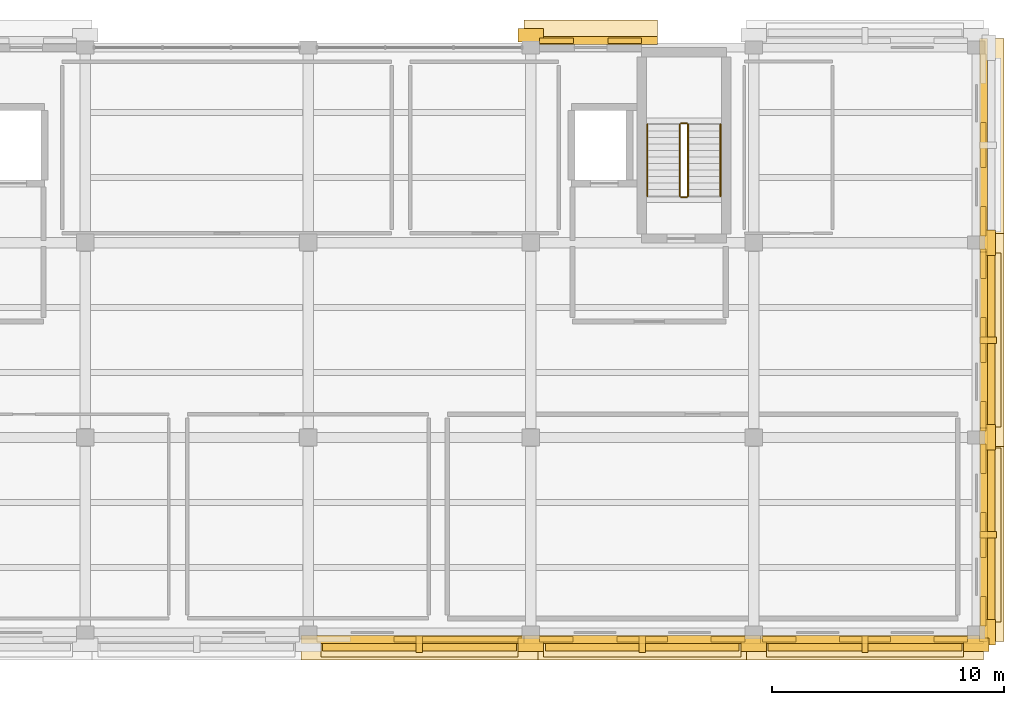
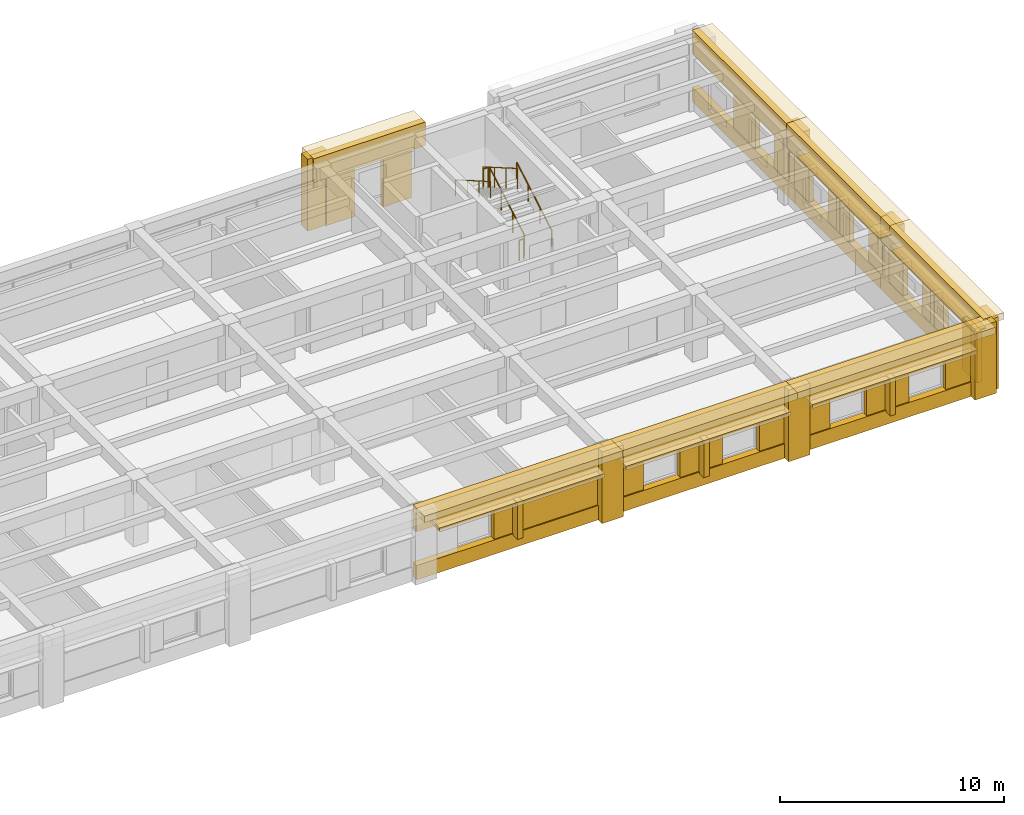
# One storey, part 11 of 12: 54 coverings, 6 railings, 5 shading devices.
"""IFC4 building model written with IfcOpenShell, lengths in metres."""

from ifc_helpers import new_model, si_unit, direction, frame, origin, origin_2d, place, context, subcontext, project, spatial, rectangle, circle, extrude, material, layer, layer_set, type_object, element, save


model = new_model("IFC4")

# Units and contexts
model_context = context("Model", 3, precision=1e-05, world=origin(), true_north=direction((0.0, 1.0)))
body_context = subcontext(model_context, "Body", "Model", "MODEL_VIEW")
ifc_project = project(units=[si_unit("LENGTHUNIT", "METRE"), si_unit("AREAUNIT", "SQUARE_METRE"), si_unit("VOLUMEUNIT", "CUBIC_METRE"), si_unit("PLANEANGLEUNIT", "RADIAN"), si_unit("MASSUNIT", "GRAM", prefix="KILO")], contexts=[model_context])

# Site, building, storey
site_placement = place(None, origin())
site = spatial("IfcSite", under=ifc_project, at=site_placement, CompositionType="ELEMENT")
building_placement = place(site_placement, origin())
building = spatial("IfcBuilding", under=site, at=building_placement, Name="Bempovik Park Faculty of Sciences", CompositionType="ELEMENT")
storey_placement = place(building_placement, frame((0.0, 0.0, 34.5)))
storey = spatial("IfcBuildingStorey", under=building, at=storey_placement, Name="L08", CompositionType="ELEMENT", Elevation=34.5)

# Coverings
ifc_material_1 = material(Name="Precast concrete C40/50", Category="concrete")
ifc_layer_1 = layer(ifc_material_1, 0.179931640625)
ifc_layer_set_1 = layer_set([ifc_layer_1], Name="Precast concrete C40/50")
covering_type_1 = type_object("IfcCoveringType", Name="CL-02 Classical Cornice Band 180mm", PredefinedType="CLADDING", material=ifc_layer_set_1)
covering_1_placement = place(storey_placement, frame((118.264892578125, 98.39990234375, 3.5400390625), z_axis=(0.0, 0.0, 1.0), x_axis=(1.0, 0.0, 0.0)))
element("IfcCovering", 1, at=covering_1_placement, inside=storey, type_object=covering_type_1, Name="L08 Classical Projecting Dentil Cornice EW-L08-10772", PredefinedType="CLADDING", context=body_context, shape_type="SweptSolid", body=[
    extrude(rectangle(XDim=1.050048828125, YDim=9.196044921875, at=origin_2d()), origin(), (0.0, 0.0, 1.0), 0.360107421875),
])
covering_2_placement = place(storey_placement, frame((118.199951171875, 98.39990234375, 2.66015625), z_axis=(0.0, 0.0, 1.0), x_axis=(1.0, 0.0, 0.0)))
element("IfcCovering", 2, at=covering_2_placement, inside=storey, type_object=covering_type_1, Name="L08 Classical Stone Solar Window Hood EW-L08-10772", PredefinedType="CLADDING", context=body_context, shape_type="SweptSolid", body=[
    extrude(rectangle(XDim=0.919921875, YDim=7.49609375, at=origin_2d()), origin(), (0.0, 0.0, 1.0), 0.219970703125),
])
covering_3_placement = place(storey_placement, frame((118.264892578125, 106.800048828125, 3.5400390625), z_axis=(0.0, 0.0, 1.0), x_axis=(1.0, 0.0, 0.0)))
element("IfcCovering", 3, at=covering_3_placement, inside=storey, type_object=covering_type_1, Name="L08 Classical Projecting Dentil Cornice EW-L08-10786", PredefinedType="CLADDING", context=body_context, shape_type="SweptSolid", body=[
    extrude(rectangle(XDim=1.050048828125, YDim=9.196044921875, at=origin_2d()), origin(), (0.0, 0.0, 1.0), 0.360107421875),
])
covering_4_placement = place(storey_placement, frame((118.199951171875, 106.800048828125, 2.66015625), z_axis=(0.0, 0.0, 1.0), x_axis=(1.0, 0.0, 0.0)))
element("IfcCovering", 4, at=covering_4_placement, inside=storey, type_object=covering_type_1, Name="L08 Classical Stone Solar Window Hood EW-L08-10786", PredefinedType="CLADDING", context=body_context, shape_type="SweptSolid", body=[
    extrude(rectangle(XDim=0.919921875, YDim=7.49609375, at=origin_2d()), origin(), (0.0, 0.0, 1.0), 0.219970703125),
])
covering_5_placement = place(storey_placement, frame((118.264892578125, 115.199951171875, 3.5400390625), z_axis=(0.0, 0.0, 1.0), x_axis=(1.0, 0.0, 0.0)))
element("IfcCovering", 5, at=covering_5_placement, inside=storey, type_object=covering_type_1, Name="L08 Classical Projecting Dentil Cornice EW-L08-10799", PredefinedType="CLADDING", context=body_context, shape_type="SweptSolid", body=[
    extrude(rectangle(XDim=1.050048828125, YDim=9.196044921875, at=origin_2d()), origin(), (0.0, 0.0, 1.0), 0.360107421875),
])
covering_6_placement = place(storey_placement, frame((100.9755859375, 120.06494140625, 3.5400390625), z_axis=(0.0, 0.0, 1.0), x_axis=(1.0, 0.0, 0.0)))
element("IfcCovering", 6, at=covering_6_placement, inside=storey, type_object=covering_type_1, Name="L08 Classical Projecting Dentil Cornice EW-L08-10869", PredefinedType="CLADDING", context=body_context, shape_type="SweptSolid", body=[
    extrude(rectangle(XDim=5.7470703125, YDim=1.050048828125, at=origin_2d()), origin(), (0.0, 0.0, 1.0), 0.360107421875),
])
covering_7_placement = place(storey_placement, frame((93.60009765625, 93.534912109375, 3.5400390625), z_axis=(0.0, 0.0, 1.0), x_axis=(1.0, 0.0, 0.0)))
element("IfcCovering", 7, at=covering_7_placement, inside=storey, type_object=covering_type_1, Name="L08 Classical Projecting Dentil Cornice EW-L08-10964", PredefinedType="CLADDING", context=body_context, shape_type="SweptSolid", body=[
    extrude(rectangle(XDim=10.196044921875, YDim=1.050048828125, at=origin_2d()), origin(), (0.0, 0.0, 1.0), 0.360107421875),
])
covering_8_placement = place(storey_placement, frame((93.60009765625, 93.60009765625, 2.66015625), z_axis=(0.0, 0.0, 1.0), x_axis=(1.0, 0.0, 0.0)))
element("IfcCovering", 8, at=covering_8_placement, inside=storey, type_object=covering_type_1, Name="L08 Classical Stone Solar Window Hood EW-L08-10964", PredefinedType="CLADDING", context=body_context, shape_type="SweptSolid", body=[
    extrude(rectangle(XDim=8.49609375, YDim=0.919921875, at=origin_2d()), origin(), (0.0, 0.0, 1.0), 0.219970703125),
])
covering_9_placement = place(storey_placement, frame((103.199951171875, 93.534912109375, 3.5400390625), z_axis=(0.0, 0.0, 1.0), x_axis=(1.0, 0.0, 0.0)))
element("IfcCovering", 9, at=covering_9_placement, inside=storey, type_object=covering_type_1, Name="L08 Classical Projecting Dentil Cornice EW-L08-10975", PredefinedType="CLADDING", context=body_context, shape_type="SweptSolid", body=[
    extrude(rectangle(XDim=10.196044921875, YDim=1.050048828125, at=origin_2d()), origin(), (0.0, 0.0, 1.0), 0.360107421875),
])
covering_10_placement = place(storey_placement, frame((103.199951171875, 93.60009765625, 2.66015625), z_axis=(0.0, 0.0, 1.0), x_axis=(1.0, 0.0, 0.0)))
element("IfcCovering", 10, at=covering_10_placement, inside=storey, type_object=covering_type_1, Name="L08 Classical Stone Solar Window Hood EW-L08-10975", PredefinedType="CLADDING", context=body_context, shape_type="SweptSolid", body=[
    extrude(rectangle(XDim=8.49609375, YDim=0.919921875, at=origin_2d()), origin(), (0.0, 0.0, 1.0), 0.219970703125),
])
covering_11_placement = place(storey_placement, frame((112.800048828125, 93.534912109375, 3.5400390625), z_axis=(0.0, 0.0, 1.0), x_axis=(1.0, 0.0, 0.0)))
element("IfcCovering", 11, at=covering_11_placement, inside=storey, type_object=covering_type_1, Name="L08 Classical Projecting Dentil Cornice EW-L08-10988", PredefinedType="CLADDING", context=body_context, shape_type="SweptSolid", body=[
    extrude(rectangle(XDim=10.196044921875, YDim=1.050048828125, at=origin_2d()), origin(), (0.0, 0.0, 1.0), 0.360107421875),
])
covering_12_placement = place(storey_placement, frame((112.800048828125, 93.60009765625, 2.66015625), z_axis=(0.0, 0.0, 1.0), x_axis=(1.0, 0.0, 0.0)))
element("IfcCovering", 12, at=covering_12_placement, inside=storey, type_object=covering_type_1, Name="L08 Classical Stone Solar Window Hood EW-L08-10988", PredefinedType="CLADDING", context=body_context, shape_type="SweptSolid", body=[
    extrude(rectangle(XDim=8.49609375, YDim=0.919921875, at=origin_2d()), origin(), (0.0, 0.0, 1.0), 0.219970703125),
])
ifc_material_2 = material(Name="White reconstituted limestone precast C40/50", Category="masonry")
ifc_layer_2 = layer(ifc_material_2, 0.239990234375)
ifc_layer_set_2 = layer_set([ifc_layer_2], Name="White reconstituted limestone precast C40/50")
covering_type_2 = type_object("IfcCoveringType", Name="CL-03 Classical Fluted Limestone Pilaster 240mm", PredefinedType="CLADDING", material=ifc_layer_set_2)
covering_13_placement = place(storey_placement, frame((117.909912109375, 98.39990234375, 2.6201171875), z_axis=(0.0, 0.0, 1.0), x_axis=(1.0, 0.0, 0.0)))
element("IfcCovering", 13, at=covering_13_placement, inside=storey, type_object=covering_type_2, Name="L08 Classical Limestone Spandrel Entablature EW-L08-10772", PredefinedType="CLADDING", context=body_context, shape_type="SweptSolid", body=[
    extrude(rectangle(XDim=0.340087890625, YDim=9.196044921875, at=origin_2d()), origin(), (0.0, 0.0, 1.0), 1.280029296875),
])
covering_14_placement = place(storey_placement, frame((117.909912109375, 98.39990234375, 0.0), z_axis=(0.0, 0.0, 1.0), x_axis=(1.0, 0.0, 0.0)))
element("IfcCovering", 14, at=covering_14_placement, inside=storey, type_object=covering_type_2, Name="L08 Classical Limestone Sill Dado EW-L08-10772", PredefinedType="CLADDING", context=body_context, shape_type="SweptSolid", body=[
    extrude(rectangle(XDim=0.340087890625, YDim=9.196044921875, at=origin_2d()), origin(), (0.0, 0.0, 1.0), 0.780029296875),
])
for number, where, z_axis, x_axis, name in (
    (15, (118.1298828125, 94.199951171875, 0.0), (0.0, 0.0, 1.0), (1.0, 0.0, 0.0), "L08 Classical Fluted Stone Pilaster PIL-BA-L08-1181-942"),
    (16, (118.1298828125, 102.60009765625, 0.0), (0.0, 0.0, 1.0), (1.0, 0.0, 0.0), "L08 Classical Fluted Stone Pilaster PIL-BA-L08-1181-1026"),
):
    element("IfcCovering", number, at=place(storey_placement, frame(where, z_axis=z_axis, x_axis=x_axis)), inside=storey, type_object=covering_type_2, Name=name, PredefinedType="CLADDING", context=body_context, shape_type="SweptSolid", body=[
        extrude(rectangle(XDim=0.580078125, YDim=1.10009765625, at=origin_2d()), origin(), (0.0, 0.0, 1.0), 3.89990234375),
    ])
covering_15_placement = place(storey_placement, frame((117.89990234375, 95.1162109375, 0.0), z_axis=(0.0, 0.0, 1.0), x_axis=(1.0, 0.0, 0.0)))
element("IfcCovering", 17, at=covering_15_placement, inside=storey, type_object=covering_type_2, Name="L08 White Limestone Wall Cheek EW-L08-10772-0", PredefinedType="CLADDING", context=body_context, shape_type="SweptSolid", body=[
    extrude(rectangle(XDim=0.239990234375, YDim=1.2783203125, at=origin_2d()), origin(), (0.0, 0.0, 1.0), 2.780029296875),
])
covering_16_placement = place(storey_placement, frame((117.89990234375, 98.39990234375, 0.0), z_axis=(0.0, 0.0, 1.0), x_axis=(1.0, 0.0, 0.0)))
element("IfcCovering", 18, at=covering_16_placement, inside=storey, type_object=covering_type_2, Name="L08 White Limestone Wall Cheek EW-L08-10772-2", PredefinedType="CLADDING", context=body_context, shape_type="SweptSolid", body=[
    extrude(rectangle(XDim=0.239990234375, YDim=1.92919921875, at=origin_2d()), origin(), (0.0, 0.0, 1.0), 2.780029296875),
])
covering_17_placement = place(storey_placement, frame((117.89990234375, 101.683837890625, 0.0), z_axis=(0.0, 0.0, 1.0), x_axis=(1.0, 0.0, 0.0)))
element("IfcCovering", 19, at=covering_17_placement, inside=storey, type_object=covering_type_2, Name="L08 White Limestone Wall Cheek EW-L08-10772-4", PredefinedType="CLADDING", context=body_context, shape_type="SweptSolid", body=[
    extrude(rectangle(XDim=0.239990234375, YDim=1.2783203125, at=origin_2d()), origin(), (0.0, 0.0, 1.0), 2.780029296875),
])
covering_18_placement = place(storey_placement, frame((118.110107421875, 98.39990234375, 0.699951171875), z_axis=(0.0, 0.0, 1.0), x_axis=(1.0, 0.0, 0.0)))
element("IfcCovering", 20, at=covering_18_placement, inside=storey, type_object=covering_type_2, Name="L08 Classical Vertical Stone Shading Fin EW-L08-10772", PredefinedType="CLADDING", context=body_context, shape_type="SweptSolid", body=[
    extrude(rectangle(XDim=0.719970703125, YDim=0.280029296875, at=origin_2d()), origin(), (0.0, 0.0, 1.0), 2.0),
])
covering_19_placement = place(storey_placement, frame((117.909912109375, 106.800048828125, 2.6201171875), z_axis=(0.0, 0.0, 1.0), x_axis=(1.0, 0.0, 0.0)))
element("IfcCovering", 21, at=covering_19_placement, inside=storey, type_object=covering_type_2, Name="L08 Classical Limestone Spandrel Entablature EW-L08-10786", PredefinedType="CLADDING", context=body_context, shape_type="SweptSolid", body=[
    extrude(rectangle(XDim=0.340087890625, YDim=9.196044921875, at=origin_2d()), origin(), (0.0, 0.0, 1.0), 1.280029296875),
])
covering_20_placement = place(storey_placement, frame((117.909912109375, 106.800048828125, 0.0), z_axis=(0.0, 0.0, 1.0), x_axis=(1.0, 0.0, 0.0)))
element("IfcCovering", 22, at=covering_20_placement, inside=storey, type_object=covering_type_2, Name="L08 Classical Limestone Sill Dado EW-L08-10786", PredefinedType="CLADDING", context=body_context, shape_type="SweptSolid", body=[
    extrude(rectangle(XDim=0.340087890625, YDim=9.196044921875, at=origin_2d()), origin(), (0.0, 0.0, 1.0), 0.780029296875),
])
covering_21_placement = place(storey_placement, frame((118.1298828125, 111.0, 0.0), z_axis=(0.0, 0.0, 1.0), x_axis=(1.0, 0.0, 0.0)))
element("IfcCovering", 23, at=covering_21_placement, inside=storey, type_object=covering_type_2, Name="L08 Classical Fluted Stone Pilaster PIL-BA-L08-1181-1110", PredefinedType="CLADDING", context=body_context, shape_type="SweptSolid", body=[
    extrude(rectangle(XDim=0.580078125, YDim=1.10009765625, at=origin_2d()), origin(), (0.0, 0.0, 1.0), 3.89990234375),
])
covering_22_placement = place(storey_placement, frame((117.89990234375, 103.51611328125, 0.0), z_axis=(0.0, 0.0, 1.0), x_axis=(1.0, 0.0, 0.0)))
element("IfcCovering", 24, at=covering_22_placement, inside=storey, type_object=covering_type_2, Name="L08 White Limestone Wall Cheek EW-L08-10786-0", PredefinedType="CLADDING", context=body_context, shape_type="SweptSolid", body=[
    extrude(rectangle(XDim=0.239990234375, YDim=1.2783203125, at=origin_2d()), origin(), (0.0, 0.0, 1.0), 2.780029296875),
])
covering_23_placement = place(storey_placement, frame((117.89990234375, 106.800048828125, 0.0), z_axis=(0.0, 0.0, 1.0), x_axis=(1.0, 0.0, 0.0)))
element("IfcCovering", 25, at=covering_23_placement, inside=storey, type_object=covering_type_2, Name="L08 White Limestone Wall Cheek EW-L08-10786-2", PredefinedType="CLADDING", context=body_context, shape_type="SweptSolid", body=[
    extrude(rectangle(XDim=0.239990234375, YDim=1.92919921875, at=origin_2d()), origin(), (0.0, 0.0, 1.0), 2.780029296875),
])
covering_24_placement = place(storey_placement, frame((117.89990234375, 110.083740234375, 0.0), z_axis=(0.0, 0.0, 1.0), x_axis=(1.0, 0.0, 0.0)))
element("IfcCovering", 26, at=covering_24_placement, inside=storey, type_object=covering_type_2, Name="L08 White Limestone Wall Cheek EW-L08-10786-4", PredefinedType="CLADDING", context=body_context, shape_type="SweptSolid", body=[
    extrude(rectangle(XDim=0.239990234375, YDim=1.2783203125, at=origin_2d()), origin(), (0.0, 0.0, 1.0), 2.780029296875),
])
covering_25_placement = place(storey_placement, frame((118.110107421875, 106.800048828125, 0.699951171875), z_axis=(0.0, 0.0, 1.0), x_axis=(1.0, 0.0, 0.0)))
element("IfcCovering", 27, at=covering_25_placement, inside=storey, type_object=covering_type_2, Name="L08 Classical Vertical Stone Shading Fin EW-L08-10786", PredefinedType="CLADDING", context=body_context, shape_type="SweptSolid", body=[
    extrude(rectangle(XDim=0.719970703125, YDim=0.280029296875, at=origin_2d()), origin(), (0.0, 0.0, 1.0), 2.0),
])
covering_26_placement = place(storey_placement, frame((117.909912109375, 115.199951171875, 2.6201171875), z_axis=(0.0, 0.0, 1.0), x_axis=(1.0, 0.0, 0.0)))
element("IfcCovering", 28, at=covering_26_placement, inside=storey, type_object=covering_type_2, Name="L08 Classical Limestone Spandrel Entablature EW-L08-10799", PredefinedType="CLADDING", context=body_context, shape_type="SweptSolid", body=[
    extrude(rectangle(XDim=0.340087890625, YDim=9.196044921875, at=origin_2d()), origin(), (0.0, 0.0, 1.0), 1.280029296875),
])
covering_27_placement = place(storey_placement, frame((117.909912109375, 115.199951171875, 0.0), z_axis=(0.0, 0.0, 1.0), x_axis=(1.0, 0.0, 0.0)))
element("IfcCovering", 29, at=covering_27_placement, inside=storey, type_object=covering_type_2, Name="L08 Classical Limestone Sill Dado EW-L08-10799", PredefinedType="CLADDING", context=body_context, shape_type="SweptSolid", body=[
    extrude(rectangle(XDim=0.340087890625, YDim=9.196044921875, at=origin_2d()), origin(), (0.0, 0.0, 1.0), 0.780029296875),
])
covering_28_placement = place(storey_placement, frame((117.89990234375, 111.916259765625, 0.0), z_axis=(0.0, 0.0, 1.0), x_axis=(1.0, 0.0, 0.0)))
element("IfcCovering", 30, at=covering_28_placement, inside=storey, type_object=covering_type_2, Name="L08 White Limestone Wall Cheek EW-L08-10799-0", PredefinedType="CLADDING", context=body_context, shape_type="SweptSolid", body=[
    extrude(rectangle(XDim=0.239990234375, YDim=1.2783203125, at=origin_2d()), origin(), (0.0, 0.0, 1.0), 2.780029296875),
])
covering_29_placement = place(storey_placement, frame((117.89990234375, 115.199951171875, 0.0), z_axis=(0.0, 0.0, 1.0), x_axis=(1.0, 0.0, 0.0)))
element("IfcCovering", 31, at=covering_29_placement, inside=storey, type_object=covering_type_2, Name="L08 White Limestone Wall Cheek EW-L08-10799-2", PredefinedType="CLADDING", context=body_context, shape_type="SweptSolid", body=[
    extrude(rectangle(XDim=0.239990234375, YDim=1.92919921875, at=origin_2d()), origin(), (0.0, 0.0, 1.0), 2.780029296875),
])
covering_30_placement = place(storey_placement, frame((100.9755859375, 119.7099609375, 2.6201171875), z_axis=(0.0, 0.0, 1.0), x_axis=(1.0, 0.0, 0.0)))
element("IfcCovering", 32, at=covering_30_placement, inside=storey, type_object=covering_type_2, Name="L08 Classical Limestone Spandrel Entablature EW-L08-10869", PredefinedType="CLADDING", context=body_context, shape_type="SweptSolid", body=[
    extrude(rectangle(XDim=5.7470703125, YDim=0.340087890625, at=origin_2d()), origin(), (0.0, 0.0, 1.0), 1.280029296875),
])
covering_31_placement = place(storey_placement, frame((98.39990234375, 119.929931640625, 0.0), z_axis=(0.0, 0.0, 1.0), x_axis=(1.0, 0.0, 0.0)))
element("IfcCovering", 33, at=covering_31_placement, inside=storey, type_object=covering_type_2, Name="L08 Classical Fluted Stone Pilaster PIL-BA-L08-984-1199", PredefinedType="CLADDING", context=body_context, shape_type="SweptSolid", body=[
    extrude(rectangle(XDim=1.10009765625, YDim=0.580078125, at=origin_2d()), origin(), (0.0, 0.0, 1.0), 3.89990234375),
])
for number, where, z_axis, x_axis, name in (
    (34, (99.506103515625, 119.699951171875, 0.0), (0.0, 0.0, 1.0), (1.0, 0.0, 0.0), "L08 Stairwell White Limestone Cheek EW-L08-10869-1"),
    (35, (102.444580078125, 119.699951171875, 0.0), (0.0, 0.0, 1.0), (1.0, 0.0, 0.0), "L08 Stairwell White Limestone Cheek EW-L08-10869-2"),
):
    element("IfcCovering", number, at=place(storey_placement, frame(where, z_axis=z_axis, x_axis=x_axis)), inside=storey, type_object=covering_type_2, Name=name, PredefinedType="CLADDING", context=body_context, shape_type="SweptSolid", body=[
        extrude(rectangle(XDim=1.45849609375, YDim=0.239990234375, at=origin_2d()), origin(), (0.0, 0.0, 1.0), 2.780029296875),
    ])
covering_32_placement = place(storey_placement, frame((93.60009765625, 93.889892578125, 2.6201171875), z_axis=(0.0, 0.0, 1.0), x_axis=(1.0, 0.0, 0.0)))
element("IfcCovering", 36, at=covering_32_placement, inside=storey, type_object=covering_type_2, Name="L08 Classical Limestone Spandrel Entablature EW-L08-10964", PredefinedType="CLADDING", context=body_context, shape_type="SweptSolid", body=[
    extrude(rectangle(XDim=10.196044921875, YDim=0.340087890625, at=origin_2d()), origin(), (0.0, 0.0, 1.0), 1.280029296875),
])
covering_33_placement = place(storey_placement, frame((93.60009765625, 93.889892578125, 0.0), z_axis=(0.0, 0.0, 1.0), x_axis=(1.0, 0.0, 0.0)))
element("IfcCovering", 37, at=covering_33_placement, inside=storey, type_object=covering_type_2, Name="L08 Classical Limestone Sill Dado EW-L08-10964", PredefinedType="CLADDING", context=body_context, shape_type="SweptSolid", body=[
    extrude(rectangle(XDim=10.196044921875, YDim=0.340087890625, at=origin_2d()), origin(), (0.0, 0.0, 1.0), 0.780029296875),
])
covering_34_placement = place(storey_placement, frame((98.39990234375, 93.669921875, 0.0), z_axis=(0.0, 0.0, 1.0), x_axis=(1.0, 0.0, 0.0)))
element("IfcCovering", 38, at=covering_34_placement, inside=storey, type_object=covering_type_2, Name="L08 Classical Fluted Stone Pilaster PIL-BA-L08-984-937", PredefinedType="CLADDING", context=body_context, shape_type="SweptSolid", body=[
    extrude(rectangle(XDim=1.10009765625, YDim=0.580078125, at=origin_2d()), origin(), (0.0, 0.0, 1.0), 3.89990234375),
])
covering_35_placement = place(storey_placement, frame((95.26416015625, 93.89990234375, 0.0), z_axis=(0.0, 0.0, 1.0), x_axis=(1.0, 0.0, 0.0)))
element("IfcCovering", 39, at=covering_35_placement, inside=storey, type_object=covering_type_2, Name="L08 White Limestone Wall Cheek EW-L08-10964-2", PredefinedType="CLADDING", context=body_context, shape_type="SweptSolid", body=[
    extrude(rectangle(XDim=5.517578125, YDim=0.239990234375, at=origin_2d()), origin(), (0.0, 0.0, 1.0), 2.780029296875),
])
covering_36_placement = place(storey_placement, frame((93.60009765625, 93.68994140625, 0.699951171875), z_axis=(0.0, 0.0, 1.0), x_axis=(1.0, 0.0, 0.0)))
element("IfcCovering", 40, at=covering_36_placement, inside=storey, type_object=covering_type_2, Name="L08 Classical Vertical Stone Shading Fin EW-L08-10964", PredefinedType="CLADDING", context=body_context, shape_type="SweptSolid", body=[
    extrude(rectangle(XDim=0.280029296875, YDim=0.719970703125, at=origin_2d()), origin(), (0.0, 0.0, 1.0), 2.0),
])
covering_37_placement = place(storey_placement, frame((103.199951171875, 93.889892578125, 2.6201171875), z_axis=(0.0, 0.0, 1.0), x_axis=(1.0, 0.0, 0.0)))
element("IfcCovering", 41, at=covering_37_placement, inside=storey, type_object=covering_type_2, Name="L08 Classical Limestone Spandrel Entablature EW-L08-10975", PredefinedType="CLADDING", context=body_context, shape_type="SweptSolid", body=[
    extrude(rectangle(XDim=10.196044921875, YDim=0.340087890625, at=origin_2d()), origin(), (0.0, 0.0, 1.0), 1.280029296875),
])
covering_38_placement = place(storey_placement, frame((103.199951171875, 93.889892578125, 0.0), z_axis=(0.0, 0.0, 1.0), x_axis=(1.0, 0.0, 0.0)))
element("IfcCovering", 42, at=covering_38_placement, inside=storey, type_object=covering_type_2, Name="L08 Classical Limestone Sill Dado EW-L08-10975", PredefinedType="CLADDING", context=body_context, shape_type="SweptSolid", body=[
    extrude(rectangle(XDim=10.196044921875, YDim=0.340087890625, at=origin_2d()), origin(), (0.0, 0.0, 1.0), 0.780029296875),
])
covering_39_placement = place(storey_placement, frame((108.0, 93.669921875, 0.0), z_axis=(0.0, 0.0, 1.0), x_axis=(1.0, 0.0, 0.0)))
element("IfcCovering", 43, at=covering_39_placement, inside=storey, type_object=covering_type_2, Name="L08 Classical Fluted Stone Pilaster PIL-BA-L08-1080-937", PredefinedType="CLADDING", context=body_context, shape_type="SweptSolid", body=[
    extrude(rectangle(XDim=1.10009765625, YDim=0.580078125, at=origin_2d()), origin(), (0.0, 0.0, 1.0), 3.89990234375),
])
covering_40_placement = place(storey_placement, frame((99.501220703125, 93.89990234375, 0.0), z_axis=(0.0, 0.0, 1.0), x_axis=(1.0, 0.0, 0.0)))
element("IfcCovering", 44, at=covering_40_placement, inside=storey, type_object=covering_type_2, Name="L08 White Limestone Wall Cheek EW-L08-10975-0", PredefinedType="CLADDING", context=body_context, shape_type="SweptSolid", body=[
    extrude(rectangle(XDim=1.448486328125, YDim=0.239990234375, at=origin_2d()), origin(), (0.0, 0.0, 1.0), 2.780029296875),
])
covering_41_placement = place(storey_placement, frame((103.199951171875, 93.89990234375, 0.0), z_axis=(0.0, 0.0, 1.0), x_axis=(1.0, 0.0, 0.0)))
element("IfcCovering", 45, at=covering_41_placement, inside=storey, type_object=covering_type_2, Name="L08 White Limestone Wall Cheek EW-L08-10975-2", PredefinedType="CLADDING", context=body_context, shape_type="SweptSolid", body=[
    extrude(rectangle(XDim=2.189208984375, YDim=0.239990234375, at=origin_2d()), origin(), (0.0, 0.0, 1.0), 2.780029296875),
])
covering_42_placement = place(storey_placement, frame((106.898681640625, 93.89990234375, 0.0), z_axis=(0.0, 0.0, 1.0), x_axis=(1.0, 0.0, 0.0)))
element("IfcCovering", 46, at=covering_42_placement, inside=storey, type_object=covering_type_2, Name="L08 White Limestone Wall Cheek EW-L08-10975-4", PredefinedType="CLADDING", context=body_context, shape_type="SweptSolid", body=[
    extrude(rectangle(XDim=1.448486328125, YDim=0.239990234375, at=origin_2d()), origin(), (0.0, 0.0, 1.0), 2.780029296875),
])
covering_43_placement = place(storey_placement, frame((103.199951171875, 93.68994140625, 0.699951171875), z_axis=(0.0, 0.0, 1.0), x_axis=(1.0, 0.0, 0.0)))
element("IfcCovering", 47, at=covering_43_placement, inside=storey, type_object=covering_type_2, Name="L08 Classical Vertical Stone Shading Fin EW-L08-10975", PredefinedType="CLADDING", context=body_context, shape_type="SweptSolid", body=[
    extrude(rectangle(XDim=0.280029296875, YDim=0.719970703125, at=origin_2d()), origin(), (0.0, 0.0, 1.0), 2.0),
])
covering_44_placement = place(storey_placement, frame((112.800048828125, 93.889892578125, 2.6201171875), z_axis=(0.0, 0.0, 1.0), x_axis=(1.0, 0.0, 0.0)))
element("IfcCovering", 48, at=covering_44_placement, inside=storey, type_object=covering_type_2, Name="L08 Classical Limestone Spandrel Entablature EW-L08-10988", PredefinedType="CLADDING", context=body_context, shape_type="SweptSolid", body=[
    extrude(rectangle(XDim=10.196044921875, YDim=0.340087890625, at=origin_2d()), origin(), (0.0, 0.0, 1.0), 1.280029296875),
])
covering_45_placement = place(storey_placement, frame((112.800048828125, 93.889892578125, 0.0), z_axis=(0.0, 0.0, 1.0), x_axis=(1.0, 0.0, 0.0)))
element("IfcCovering", 49, at=covering_45_placement, inside=storey, type_object=covering_type_2, Name="L08 Classical Limestone Sill Dado EW-L08-10988", PredefinedType="CLADDING", context=body_context, shape_type="SweptSolid", body=[
    extrude(rectangle(XDim=10.196044921875, YDim=0.340087890625, at=origin_2d()), origin(), (0.0, 0.0, 1.0), 0.780029296875),
])
covering_46_placement = place(storey_placement, frame((117.60009765625, 93.669921875, 0.0), z_axis=(0.0, 0.0, 1.0), x_axis=(1.0, 0.0, 0.0)))
element("IfcCovering", 50, at=covering_46_placement, inside=storey, type_object=covering_type_2, Name="L08 Classical Fluted Stone Pilaster PIL-BA-L08-1176-937", PredefinedType="CLADDING", context=body_context, shape_type="SweptSolid", body=[
    extrude(rectangle(XDim=1.10009765625, YDim=0.580078125, at=origin_2d()), origin(), (0.0, 0.0, 1.0), 3.89990234375),
])
covering_47_placement = place(storey_placement, frame((109.101318359375, 93.89990234375, 0.0), z_axis=(0.0, 0.0, 1.0), x_axis=(1.0, 0.0, 0.0)))
element("IfcCovering", 51, at=covering_47_placement, inside=storey, type_object=covering_type_2, Name="L08 White Limestone Wall Cheek EW-L08-10988-0", PredefinedType="CLADDING", context=body_context, shape_type="SweptSolid", body=[
    extrude(rectangle(XDim=1.448486328125, YDim=0.239990234375, at=origin_2d()), origin(), (0.0, 0.0, 1.0), 2.780029296875),
])
covering_48_placement = place(storey_placement, frame((112.800048828125, 93.89990234375, 0.0), z_axis=(0.0, 0.0, 1.0), x_axis=(1.0, 0.0, 0.0)))
element("IfcCovering", 52, at=covering_48_placement, inside=storey, type_object=covering_type_2, Name="L08 White Limestone Wall Cheek EW-L08-10988-2", PredefinedType="CLADDING", context=body_context, shape_type="SweptSolid", body=[
    extrude(rectangle(XDim=2.189208984375, YDim=0.239990234375, at=origin_2d()), origin(), (0.0, 0.0, 1.0), 2.780029296875),
])
covering_49_placement = place(storey_placement, frame((116.498779296875, 93.89990234375, 0.0), z_axis=(0.0, 0.0, 1.0), x_axis=(1.0, 0.0, 0.0)))
element("IfcCovering", 53, at=covering_49_placement, inside=storey, type_object=covering_type_2, Name="L08 White Limestone Wall Cheek EW-L08-10988-4", PredefinedType="CLADDING", context=body_context, shape_type="SweptSolid", body=[
    extrude(rectangle(XDim=1.448486328125, YDim=0.239990234375, at=origin_2d()), origin(), (0.0, 0.0, 1.0), 2.780029296875),
])
covering_50_placement = place(storey_placement, frame((112.800048828125, 93.68994140625, 0.699951171875), z_axis=(0.0, 0.0, 1.0), x_axis=(1.0, 0.0, 0.0)))
element("IfcCovering", 54, at=covering_50_placement, inside=storey, type_object=covering_type_2, Name="L08 Classical Vertical Stone Shading Fin EW-L08-10988", PredefinedType="CLADDING", context=body_context, shape_type="SweptSolid", body=[
    extrude(rectangle(XDim=0.280029296875, YDim=0.719970703125, at=origin_2d()), origin(), (0.0, 0.0, 1.0), 2.0),
])

# Railings
ifc_material_3 = material(Name="Anodised architectural bronze")
railing_type_1 = type_object("IfcRailingType", Name="GR-01 Guardrail 1120mm", PredefinedType="GUARDRAIL", material=ifc_material_3)
railing_1_placement = place(storey_placement, frame((105.175048828125, 113.0, 0.16259765625)))
element("IfcRailing", 55, at=railing_1_placement, inside=storey, type_object=railing_type_1, Name="L08 ST-2 Stair Guard 1", PredefinedType="GUARDRAIL", context=body_context, shape_type="SweptSolid", body=[
    extrude(circle(Radius=0.02392578125, at=origin_2d()), frame((0.0, 0.0, 1.09619140625), z_axis=(0.0, 0.865882832026, 0.500246860263), x_axis=(-1.0, 0.0, 0.0)), (0.0, 0.0, 1.0), 3.572998046875),
    extrude(circle(Radius=0.02099609375, at=origin_2d()), origin(), (0.0, 0.0, 1.0), 1.072021484375),
    extrude(circle(Radius=0.02099609375, at=origin_2d()), frame((0.0, 1.03125, 0.595703125)), (0.0, 0.0, 1.0), 1.072021484375),
    extrude(circle(Radius=0.02099609375, at=origin_2d()), frame((0.0, 2.0625, 1.191650390625)), (0.0, 0.0, 1.0), 1.072021484375),
    extrude(circle(Radius=0.02099609375, at=origin_2d()), frame((0.0, 3.09375, 1.787353515625)), (0.0, 0.0, 1.0), 1.072021484375),
])
railing_2_placement = place(storey_placement, frame((105.125, 116.143798828125, 1.949951171875)))
element("IfcRailing", 56, at=railing_2_placement, inside=storey, type_object=railing_type_1, Name="L08 ST-2 Stair Guard 2", PredefinedType="GUARDRAIL", context=body_context, shape_type="SweptSolid", body=[
    extrude(circle(Radius=0.02392578125, at=origin_2d()), frame((0.0, 0.0, 1.09619140625), z_axis=(-1.0, 0.0, 0.0), x_axis=(0.0, -1.0, 0.0)), (0.0, 0.0, 1.0), 0.25),
    extrude(circle(Radius=0.02099609375, at=origin_2d()), origin(), (0.0, 0.0, 1.0), 1.072021484375),
    extrude(circle(Radius=0.02099609375, at=origin_2d()), frame((-0.25, 0.0, 0.0)), (0.0, 0.0, 1.0), 1.072021484375),
])
railing_3_placement = place(storey_placement, frame((104.824951171875, 116.09375, 2.112548828125)))
element("IfcRailing", 57, at=railing_3_placement, inside=storey, type_object=railing_type_1, Name="L08 ST-2 Stair Guard 3", PredefinedType="GUARDRAIL", context=body_context, shape_type="SweptSolid", body=[
    extrude(circle(Radius=0.02392578125, at=origin_2d()), frame((0.0, 0.0, 1.09619140625), z_axis=(0.0, -0.865882832026, 0.500246860263), x_axis=(1.0, 0.0, 0.0)), (0.0, 0.0, 1.0), 3.572998046875),
    extrude(circle(Radius=0.02099609375, at=origin_2d()), origin(), (0.0, 0.0, 1.0), 1.072021484375),
    extrude(circle(Radius=0.02099609375, at=origin_2d()), frame((0.0, -1.03125, 0.595703125)), (0.0, 0.0, 1.0), 1.072021484375),
    extrude(circle(Radius=0.02099609375, at=origin_2d()), frame((0.0, -2.0625, 1.191650390625)), (0.0, 0.0, 1.0), 1.072021484375),
    extrude(circle(Radius=0.02099609375, at=origin_2d()), frame((0.0, -3.09375, 1.787353515625)), (0.0, 0.0, 1.0), 1.072021484375),
])
railing_4_placement = place(storey_placement, frame((105.125, 112.949951171875, 0.0)))
element("IfcRailing", 58, at=railing_4_placement, inside=storey, type_object=railing_type_1, Name="L08 ST-2 Stair Guard 4", PredefinedType="GUARDRAIL", context=body_context, shape_type="SweptSolid", body=[
    extrude(circle(Radius=0.02392578125, at=origin_2d()), frame((0.0, 0.0, 1.09619140625), z_axis=(-1.0, 0.0, 0.0), x_axis=(0.0, -1.0, 0.0)), (0.0, 0.0, 1.0), 0.25),
    extrude(circle(Radius=0.02099609375, at=origin_2d()), origin(), (0.0, 0.0, 1.0), 1.072021484375),
    extrude(circle(Radius=0.02099609375, at=origin_2d()), frame((-0.25, 0.0, 0.0)), (0.0, 0.0, 1.0), 1.072021484375),
])
railing_type_2 = type_object("IfcRailingType", Name="HR-01 Wall Handrail 900mm", PredefinedType="HANDRAIL", material=ifc_material_3)
railing_5_placement = place(storey_placement, frame((106.574951171875, 113.0, 0.16259765625)))
element("IfcRailing", 59, at=railing_5_placement, inside=storey, type_object=railing_type_2, Name="L08 ST-2 Stair Handrail 1", PredefinedType="HANDRAIL", context=body_context, shape_type="SweptSolid", body=[
    extrude(circle(Radius=0.02392578125, at=origin_2d()), frame((0.0, 0.0, 0.8759765625), z_axis=(0.0, 0.865882832026, 0.500246860263), x_axis=(-1.0, 0.0, 0.0)), (0.0, 0.0, 1.0), 3.572998046875),
    extrude(circle(Radius=0.02099609375, at=origin_2d()), origin(), (0.0, 0.0, 1.0), 0.851806640625),
    extrude(circle(Radius=0.02099609375, at=origin_2d()), frame((0.0, 1.03125, 0.595703125)), (0.0, 0.0, 1.0), 0.851806640625),
    extrude(circle(Radius=0.02099609375, at=origin_2d()), frame((0.0, 2.0625, 1.191650390625)), (0.0, 0.0, 1.0), 0.851806640625),
    extrude(circle(Radius=0.02099609375, at=origin_2d()), frame((0.0, 3.09375, 1.787353515625)), (0.0, 0.0, 1.0), 0.851806640625),
])
railing_6_placement = place(storey_placement, frame((103.425048828125, 116.09375, 2.112548828125)))
element("IfcRailing", 60, at=railing_6_placement, inside=storey, type_object=railing_type_2, Name="L08 ST-2 Stair Handrail 2", PredefinedType="HANDRAIL", context=body_context, shape_type="SweptSolid", body=[
    extrude(circle(Radius=0.02392578125, at=origin_2d()), frame((0.0, 0.0, 0.8759765625), z_axis=(0.0, -0.865882832026, 0.500246860263), x_axis=(1.0, 0.0, 0.0)), (0.0, 0.0, 1.0), 3.572998046875),
    extrude(circle(Radius=0.02099609375, at=origin_2d()), origin(), (0.0, 0.0, 1.0), 0.851806640625),
    extrude(circle(Radius=0.02099609375, at=origin_2d()), frame((0.0, -1.03125, 0.595703125)), (0.0, 0.0, 1.0), 0.851806640625),
    extrude(circle(Radius=0.02099609375, at=origin_2d()), frame((0.0, -2.0625, 1.191650390625)), (0.0, 0.0, 1.0), 0.851806640625),
    extrude(circle(Radius=0.02099609375, at=origin_2d()), frame((0.0, -3.09375, 1.787353515625)), (0.0, 0.0, 1.0), 0.851806640625),
])

# Shading devices
ifc_layer_3 = layer(ifc_material_3, 0.06005859375)
ifc_layer_set_3 = layer_set([ifc_layer_3], Name="Anodised architectural bronze")
shading_device_type = type_object("IfcShadingDeviceType", Name="SH-01 Bronze Brise-Soleil Fin", PredefinedType="USERDEFINED", material=ifc_layer_set_3)
for number, where, z_axis, x_axis, name in (
    (61, (118.080078125, 98.39990234375, 2.599853515625), (0.0, 0.0, 1.0), (1.0, 0.0, 0.0), "L08 Equatorial Bronze Brise-Soleil EW-L08-10772"),
    (62, (118.080078125, 106.800048828125, 2.599853515625), (0.0, 0.0, 1.0), (1.0, 0.0, 0.0), "L08 Equatorial Bronze Brise-Soleil EW-L08-10786"),
):
    element("IfcShadingDevice", number, at=place(storey_placement, frame(where, z_axis=z_axis, x_axis=x_axis)), inside=storey, type_object=shading_device_type, Name=name, ObjectType="BRISE SOLEIL", PredefinedType="USERDEFINED", context=body_context, shape_type="SweptSolid", body=[
        extrude(rectangle(XDim=0.64990234375, YDim=7.345947265625, at=origin_2d()), origin(), (0.0, 0.0, 1.0), 0.06005859375),
    ])
for number, where, z_axis, x_axis, name in (
    (63, (93.60009765625, 93.719970703125, 2.599853515625), (0.0, 0.0, 1.0), (1.0, 0.0, 0.0), "L08 Equatorial Bronze Brise-Soleil EW-L08-10964"),
    (64, (103.199951171875, 93.719970703125, 2.599853515625), (0.0, 0.0, 1.0), (1.0, 0.0, 0.0), "L08 Equatorial Bronze Brise-Soleil EW-L08-10975"),
    (65, (112.800048828125, 93.719970703125, 2.599853515625), (0.0, 0.0, 1.0), (1.0, 0.0, 0.0), "L08 Equatorial Bronze Brise-Soleil EW-L08-10988"),
):
    element("IfcShadingDevice", number, at=place(storey_placement, frame(where, z_axis=z_axis, x_axis=x_axis)), inside=storey, type_object=shading_device_type, Name=name, ObjectType="BRISE SOLEIL", PredefinedType="USERDEFINED", context=body_context, shape_type="SweptSolid", body=[
        extrude(rectangle(XDim=8.345947265625, YDim=0.64990234375, at=origin_2d()), origin(), (0.0, 0.0, 1.0), 0.06005859375),
    ])

save(model, "model.ifc")
